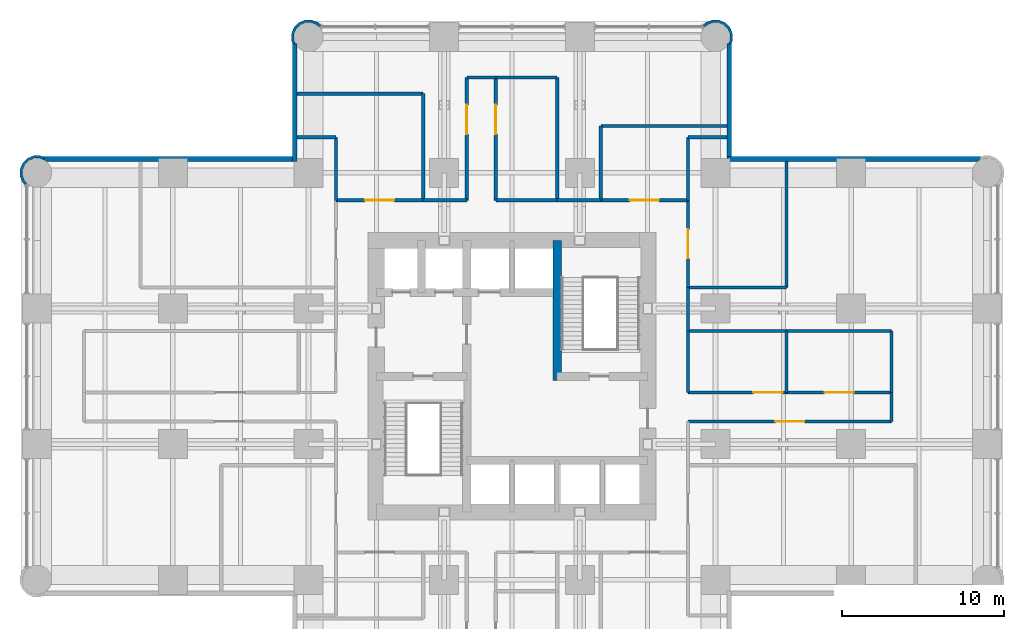
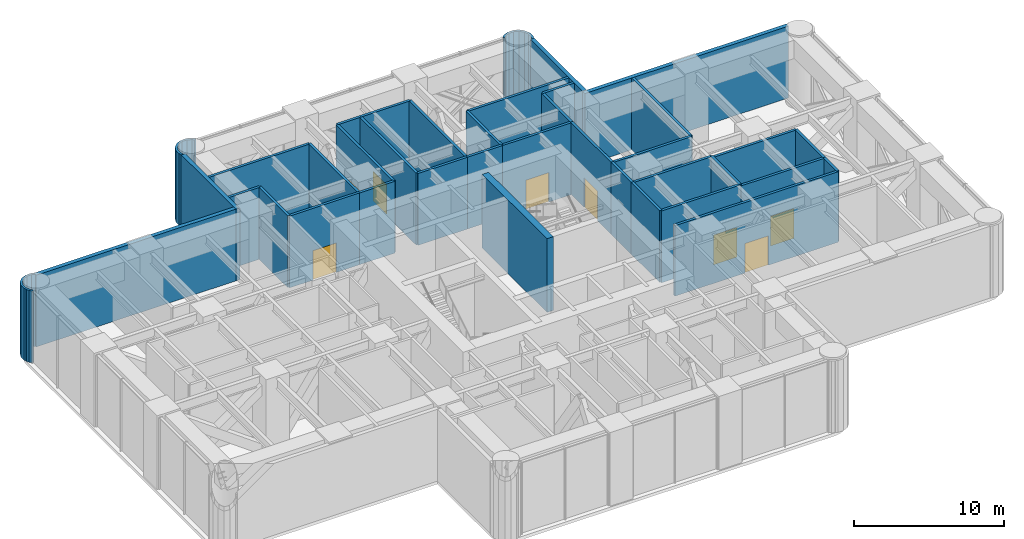
# One storey, part 10 of 13: 39 walls, 8 doors, 8 openings.
"""IFC4 building model written with IfcOpenShell, lengths in metres."""

from ifc_helpers import new_model, si_unit, direction, frame, frame_2d, origin, place, context, subcontext, project, spatial, polyline, rectangle, outline, extrude, material, layer, layer_set, type_object, element, fill, save


model = new_model("IFC4")

# Units and contexts
model_context = context("Model", 3, precision=1e-05, world=origin(), true_north=direction((0.0, 1.0)))
body_context = subcontext(model_context, "Body", "Model", "MODEL_VIEW")
ifc_project = project(units=[si_unit("LENGTHUNIT", "METRE"), si_unit("AREAUNIT", "SQUARE_METRE"), si_unit("VOLUMEUNIT", "CUBIC_METRE"), si_unit("PLANEANGLEUNIT", "RADIAN"), si_unit("MASSUNIT", "GRAM", prefix="KILO")], contexts=[model_context])

# Site, building, storey
site_placement = place(None, origin())
site = spatial("IfcSite", under=ifc_project, at=site_placement, CompositionType="ELEMENT")
building_placement = place(site_placement, origin())
building = spatial("IfcBuilding", under=site, at=building_placement, Name="Torre Alcanfor", CompositionType="ELEMENT")
storey_placement = place(building_placement, frame((0.0, 0.0, 177.300048828125)))
storey = spatial("IfcBuildingStorey", under=building, at=storey_placement, Name="L46", CompositionType="ELEMENT", Elevation=177.300048828125)

# Walls
ifc_material_1 = material(Name="Concrete f'c 70 MPa", Category="concrete")
ifc_layer_1 = layer(ifc_material_1, 0.5)
ifc_layer_set_1 = layer_set([ifc_layer_1], Name="Core inner wall 500 f'c70")
wall_type_1 = type_object("IfcWallType", Name="Core inner wall 500 f'c70", PredefinedType="SHEAR", material=ifc_layer_set_1)
wall_1_placement = place(storey_placement, frame((32.199951171875, 29.14990234375, 0.0), z_axis=(0.0, 0.0, 1.0), x_axis=(0.0, 1.0, 0.0)))
element("IfcWall", 1, at=wall_1_placement, inside=storey, type_object=wall_type_1, Name="Core wall X322N L46", PredefinedType="SHEAR", context=body_context, shape_type="SweptSolid", body=[
    extrude(rectangle(XDim=8.650146484375, YDim=0.5, at=frame_2d((4.3251953125, 0.0))), origin(), (0.0, 0.0, 1.0), 6.0),
])
ifc_material_2 = material(Name="Limestone cladding", Category="masonry")
ifc_layer_2 = layer(ifc_material_2, 0.0400390625, Name="Facing")
ifc_material_3 = material(Name="Ventilated air cavity")
ifc_layer_3 = layer(ifc_material_3, 0.02001953125, ventilated=True, Name="Ventilated joint")
ifc_material_4 = material(Name="Mineral wool insulation", Category="insulation")
ifc_layer_4 = layer(ifc_material_4, 0.10009765625, Name="Insulation")
ifc_material_5 = material(Name="Concrete f'c 35 MPa", Category="concrete")
ifc_layer_5 = layer(ifc_material_5, 0.139892578125, Name="Backing")
ifc_layer_set_2 = layer_set([ifc_layer_2, ifc_layer_3, ifc_layer_4, ifc_layer_5], Name="External wall stone-clad 300")
wall_type_2 = type_object("IfcWallType", Name="External wall stone-clad 300", PredefinedType="SOLIDWALL", material=ifc_layer_set_2)
wall_2_placement = place(storey_placement, frame((15.800048828125, 42.85009765625, 0.0), z_axis=(0.0, 0.0, 1.0), x_axis=(-1.0, 0.0, 0.0)))
element("IfcWall", 2, at=wall_2_placement, inside=storey, type_object=wall_type_2, Name="External wall L46 1", PredefinedType="SOLIDWALL", context=body_context, shape_type="SweptSolid", body=[
    extrude(rectangle(XDim=15.400146484375, YDim=0.300048828125, at=frame_2d((7.7001953125, 0.0))), origin(), (0.0, 0.0, 1.0), 5.849853515625),
])
wall_3_placement = place(storey_placement, frame((58.39990234375, 42.85009765625, 0.0), z_axis=(0.0, 0.0, 1.0), x_axis=(-1.0, 0.0, 0.0)))
element("IfcWall", 3, at=wall_3_placement, inside=storey, type_object=wall_type_2, Name="External wall L46 9", PredefinedType="SOLIDWALL", context=body_context, shape_type="SweptSolid", body=[
    extrude(rectangle(XDim=15.699951171875, YDim=0.300048828125, at=frame_2d((7.85009765625, 0.0))), origin(), (0.0, 0.0, 1.0), 5.849853515625),
])
wall_4_placement = place(storey_placement, frame((42.85009765625, 43.0, 0.0), z_axis=(0.0, 0.0, 1.0), x_axis=(0.0, 1.0, 0.0)))
element("IfcWall", 4, at=wall_4_placement, inside=storey, type_object=wall_type_2, Name="External wall L46 10", PredefinedType="SOLIDWALL", context=body_context, shape_type="SweptSolid", body=[
    extrude(rectangle(XDim=7.0, YDim=0.300048828125, at=frame_2d((3.5, 0.0))), origin(), (0.0, 0.0, 1.0), 5.849853515625),
])
wall_5_placement = place(storey_placement, frame((15.949951171875, 50.0, 0.0), z_axis=(0.0, 0.0, 1.0), x_axis=(0.0, -1.0, 0.0)))
element("IfcWall", 5, at=wall_5_placement, inside=storey, type_object=wall_type_2, Name="External wall L46 12", PredefinedType="SOLIDWALL", context=body_context, shape_type="SweptSolid", body=[
    extrude(rectangle(XDim=7.300048828125, YDim=0.300048828125, at=frame_2d((3.64990234375, 0.0))), origin(), (0.0, 0.0, 1.0), 5.849853515625),
])

# Wall, opening, door
ifc_material_6 = material(Name="Concrete block masonry, hollow blocks NMX-C-404 9 MPa", Category="masonry")
ifc_layer_6 = layer(ifc_material_6, 0.199951171875)
ifc_layer_set_3 = layer_set([ifc_layer_6], Name="Plant room wall 200 EI 60")
wall_type_3 = type_object("IfcWallType", Name="Plant room wall 200 EI 60", PredefinedType="PARTITIONING", material=ifc_layer_set_3)
wall_6_placement = place(storey_placement, frame((18.5, 40.300048828125, 0.0), z_axis=(0.0, 0.0, 1.0), x_axis=(1.0, 0.0, 0.0)))
wall_6 = element("IfcWall", 6, at=wall_6_placement, inside=storey, type_object=wall_type_3, Name="Partition L46-CORR / L46-N1", PredefinedType="PARTITIONING", context=body_context, shape_type="SweptSolid", body=[
    extrude(rectangle(XDim=5.39990234375, YDim=0.199951171875, at=frame_2d((2.699951171875, 0.0))), origin(), (0.0, 0.0, 1.0), 5.849853515625),
])
opening_1_placement = place(wall_6_placement, frame((1.800048828125, 0.0, 0.0)))
opening_1 = element("IfcOpeningElement", 7, at=opening_1_placement, cuts=wall_6, Name="Opening D-P1", PredefinedType="OPENING", context=body_context, shape_type="SweptSolid", body=[
    extrude(rectangle(XDim=1.800048828125, YDim=2.39990234375, at=frame_2d((0.89990234375, 1.199951171875))), frame((0.0, 0.10986328125, 0.0), z_axis=(0.0, -1.0, 0.0), x_axis=(1.0, 0.0, 0.0)), (0.0, 0.0, 1.0), 0.219970703125),
])
ifc_material_7 = material(Name="Galvanised steel sheet ASTM A653", Category="steel")
door_type = type_object("IfcDoorType", Name="Plant room door FD60 1800x2400", OperationType="DOUBLE_DOOR_SINGLE_SWING", PredefinedType="DOOR", material=ifc_material_7)
door_1_placement = place(opening_1_placement, origin())
door_1 = element("IfcDoor", 8, at=door_1_placement, inside=storey, type_object=door_type, Name="Door L46-N1 chilled water heat exchanger room", OperationType="DOUBLE_DOOR_SINGLE_SWING", OverallHeight=2.39990234375, OverallWidth=1.800048828125, PredefinedType="DOOR", context=body_context, shape_type="SweptSolid", body=[
    extrude(rectangle(XDim=1.800048828125, YDim=2.39990234375, at=frame_2d((0.89990234375, 1.199951171875))), frame((0.0, 0.02490234375, 0.0), z_axis=(0.0, -1.0, 0.0), x_axis=(1.0, 0.0, 0.0)), (0.0, 0.0, 1.0), 0.050048828125),
])
fill(opening_1, door_1)

wall_7_placement = place(storey_placement, frame((34.89990234375, 40.300048828125, 0.0), z_axis=(0.0, 0.0, 1.0), x_axis=(1.0, 0.0, 0.0)))
wall_7 = element("IfcWall", 9, at=wall_7_placement, inside=storey, type_object=wall_type_3, Name="Partition L46-CORR / L46-N2", PredefinedType="PARTITIONING", context=body_context, shape_type="SweptSolid", body=[
    extrude(rectangle(XDim=5.400146484375, YDim=0.199951171875, at=frame_2d((2.7001953125, 0.0))), origin(), (0.0, 0.0, 1.0), 5.849853515625),
])
opening_2_placement = place(wall_7_placement, frame((1.800048828125, 0.0, 0.0)))
opening_2 = element("IfcOpeningElement", 10, at=opening_2_placement, cuts=wall_7, Name="Opening D-P1", PredefinedType="OPENING", context=body_context, shape_type="SweptSolid", body=[
    extrude(rectangle(XDim=1.800048828125, YDim=2.39990234375, at=frame_2d((0.89990234375, 1.199951171875))), frame((0.0, 0.10986328125, 0.0), z_axis=(0.0, -1.0, 0.0), x_axis=(1.0, 0.0, 0.0)), (0.0, 0.0, 1.0), 0.219970703125),
])
door_2_placement = place(opening_2_placement, origin())
door_2 = element("IfcDoor", 11, at=door_2_placement, inside=storey, type_object=door_type, Name="Door L46-N2 booster pump room", OperationType="DOUBLE_DOOR_SINGLE_SWING", OverallHeight=2.39990234375, OverallWidth=1.800048828125, PredefinedType="DOOR", context=body_context, shape_type="SweptSolid", body=[
    extrude(rectangle(XDim=1.800048828125, YDim=2.39990234375, at=frame_2d((0.89990234375, 1.199951171875))), frame((0.0, 0.02490234375, 0.0), z_axis=(0.0, -1.0, 0.0), x_axis=(1.0, 0.0, 0.0)), (0.0, 0.0, 1.0), 0.050048828125),
])
fill(opening_2, door_2)

# Walls
wall_8_placement = place(storey_placement, frame((28.39990234375, 40.300048828125, 0.0), z_axis=(0.0, 0.0, 1.0), x_axis=(1.0, 0.0, 0.0)))
element("IfcWall", 12, at=wall_8_placement, inside=storey, type_object=wall_type_3, Name="Partition L46-CORR / L46-N3", PredefinedType="PARTITIONING", context=body_context, shape_type="SweptSolid", body=[
    extrude(rectangle(XDim=3.800048828125, YDim=0.199951171875, at=frame_2d((1.89990234375, 0.0))), origin(), (0.0, 0.0, 1.0), 5.849853515625),
])
wall_9_placement = place(storey_placement, frame((23.89990234375, 40.300048828125, 0.0), z_axis=(0.0, 0.0, 1.0), x_axis=(1.0, 0.0, 0.0)))
element("IfcWall", 13, at=wall_9_placement, inside=storey, type_object=wall_type_3, Name="Partition L46-CORR / L46-NH", PredefinedType="PARTITIONING", context=body_context, shape_type="SweptSolid", body=[
    extrude(rectangle(XDim=2.7001953125, YDim=0.199951171875, at=frame_2d((1.35009765625, 0.0))), origin(), (0.0, 0.0, 1.0), 5.849853515625),
])
wall_10_placement = place(storey_placement, frame((32.199951171875, 40.300048828125, 0.0), z_axis=(0.0, 0.0, 1.0), x_axis=(1.0, 0.0, 0.0)))
element("IfcWall", 14, at=wall_10_placement, inside=storey, type_object=wall_type_3, Name="Partition L46-CORR / L46-NH", PredefinedType="PARTITIONING", context=body_context, shape_type="SweptSolid", body=[
    extrude(rectangle(XDim=2.699951171875, YDim=0.199951171875, at=frame_2d((1.35009765625, 0.0))), origin(), (0.0, 0.0, 1.0), 5.849853515625),
])

# Wall, opening, door
wall_11_placement = place(storey_placement, frame((40.300048828125, 40.300048828125, 0.0), z_axis=(0.0, 0.0, 1.0), x_axis=(0.0, -1.0, 0.0)))
wall_11 = element("IfcWall", 15, at=wall_11_placement, inside=storey, type_object=wall_type_3, Name="Partition L46-CORR / L46-E2", PredefinedType="PARTITIONING", context=body_context, shape_type="SweptSolid", body=[
    extrude(rectangle(XDim=5.400146484375, YDim=0.199951171875, at=frame_2d((2.7001953125, 0.0))), origin(), (0.0, 0.0, 1.0), 5.849853515625),
])
opening_3_placement = place(wall_11_placement, frame((1.800048828125, 0.0, 0.0)))
opening_3 = element("IfcOpeningElement", 16, at=opening_3_placement, cuts=wall_11, Name="Opening D-P1", PredefinedType="OPENING", context=body_context, shape_type="SweptSolid", body=[
    extrude(rectangle(XDim=1.800048828125, YDim=2.39990234375, at=frame_2d((0.89990234375, 1.199951171875))), frame((0.0, 0.10986328125, 0.0), z_axis=(0.0, -1.0, 0.0), x_axis=(1.0, 0.0, 0.0)), (0.0, 0.0, 1.0), 0.219970703125),
])
door_3_placement = place(opening_3_placement, origin())
door_3 = element("IfcDoor", 17, at=door_3_placement, inside=storey, type_object=door_type, Name="Door L46-E2 stair pressurisation fan plant room", OperationType="DOUBLE_DOOR_SINGLE_SWING", OverallHeight=2.39990234375, OverallWidth=1.800048828125, PredefinedType="DOOR", context=body_context, shape_type="SweptSolid", body=[
    extrude(rectangle(XDim=1.800048828125, YDim=2.39990234375, at=frame_2d((0.89990234375, 1.199951171875))), frame((0.0, 0.02490234375, 0.0), z_axis=(0.0, -1.0, 0.0), x_axis=(1.0, 0.0, 0.0)), (0.0, 0.0, 1.0), 0.050048828125),
])
fill(opening_3, door_3)

# Walls
wall_12_placement = place(storey_placement, frame((40.300048828125, 32.199951171875, 0.0), z_axis=(0.0, 0.0, 1.0), x_axis=(0.0, -1.0, 0.0)))
element("IfcWall", 18, at=wall_12_placement, inside=storey, type_object=wall_type_3, Name="Partition L46-CORR / L46-E3", PredefinedType="PARTITIONING", context=body_context, shape_type="SweptSolid", body=[
    extrude(rectangle(XDim=3.800048828125, YDim=0.199951171875, at=frame_2d((1.89990234375, 0.0))), origin(), (0.0, 0.0, 1.0), 5.849853515625),
])
wall_13_placement = place(storey_placement, frame((40.300048828125, 34.89990234375, 0.0), z_axis=(0.0, 0.0, 1.0), x_axis=(0.0, -1.0, 0.0)))
element("IfcWall", 19, at=wall_13_placement, inside=storey, type_object=wall_type_3, Name="Partition L46-CORR / L46-EH", PredefinedType="PARTITIONING", context=body_context, shape_type="SweptSolid", body=[
    extrude(rectangle(XDim=2.699951171875, YDim=0.199951171875, at=frame_2d((1.35009765625, 0.0))), origin(), (0.0, 0.0, 1.0), 5.849853515625),
])
wall_14_placement = place(storey_placement, frame((16.10009765625, 46.89990234375, 0.0), z_axis=(0.0, 0.0, 1.0), x_axis=(1.0, 0.0, 0.0)))
element("IfcWall", 20, at=wall_14_placement, inside=storey, type_object=wall_type_3, Name="Partition L46-N1 / L46-NH", PredefinedType="PARTITIONING", context=body_context, shape_type="SweptSolid", body=[
    extrude(rectangle(XDim=7.7998046875, YDim=0.199951171875, at=frame_2d((3.89990234375, 0.0))), origin(), (0.0, 0.0, 1.0), 5.849853515625),
])
wall_15_placement = place(storey_placement, frame((23.89990234375, 46.89990234375, 0.0), z_axis=(0.0, 0.0, 1.0), x_axis=(0.0, -1.0, 0.0)))
element("IfcWall", 21, at=wall_15_placement, inside=storey, type_object=wall_type_3, Name="Partition L46-N1 / L46-NH", PredefinedType="PARTITIONING", context=body_context, shape_type="SweptSolid", body=[
    extrude(rectangle(XDim=6.599853515625, YDim=0.199951171875, at=frame_2d((3.2998046875, 0.0))), origin(), (0.0, 0.0, 1.0), 5.849853515625),
])
wall_16_placement = place(storey_placement, frame((18.5, 40.300048828125, 0.0), z_axis=(0.0, 0.0, 1.0), x_axis=(0.0, 1.0, 0.0)))
element("IfcWall", 22, at=wall_16_placement, inside=storey, type_object=wall_type_3, Name="Partition L46-N1 / L46-W2", PredefinedType="PARTITIONING", context=body_context, shape_type="SweptSolid", body=[
    extrude(rectangle(XDim=3.89990234375, YDim=0.199951171875, at=frame_2d((1.949951171875, 0.0))), origin(), (0.0, 0.0, 1.0), 5.849853515625),
])
wall_17_placement = place(storey_placement, frame((18.5, 44.199951171875, 0.0), z_axis=(0.0, 0.0, 1.0), x_axis=(-1.0, 0.0, 0.0)))
element("IfcWall", 23, at=wall_17_placement, inside=storey, type_object=wall_type_3, Name="Partition L46-N1 / L46-W2", PredefinedType="PARTITIONING", context=body_context, shape_type="SweptSolid", body=[
    extrude(rectangle(XDim=2.39990234375, YDim=0.199951171875, at=frame_2d((1.199951171875, 0.0))), origin(), (0.0, 0.0, 1.0), 5.849853515625),
])
wall_18_placement = place(storey_placement, frame((34.89990234375, 40.300048828125, 0.0), z_axis=(0.0, 0.0, 1.0), x_axis=(0.0, 1.0, 0.0)))
element("IfcWall", 24, at=wall_18_placement, inside=storey, type_object=wall_type_3, Name="Partition L46-N2 / L46-NH", PredefinedType="PARTITIONING", context=body_context, shape_type="SweptSolid", body=[
    extrude(rectangle(XDim=4.599853515625, YDim=0.199951171875, at=frame_2d((2.2998046875, 0.0))), origin(), (0.0, 0.0, 1.0), 5.849853515625),
])
wall_19_placement = place(storey_placement, frame((34.89990234375, 44.89990234375, 0.0), z_axis=(0.0, 0.0, 1.0), x_axis=(1.0, 0.0, 0.0)))
element("IfcWall", 25, at=wall_19_placement, inside=storey, type_object=wall_type_3, Name="Partition L46-N2 / L46-NH", PredefinedType="PARTITIONING", context=body_context, shape_type="SweptSolid", body=[
    extrude(rectangle(XDim=7.800048828125, YDim=0.199951171875, at=frame_2d((3.89990234375, 0.0))), origin(), (0.0, 0.0, 1.0), 5.849853515625),
])
wall_20_placement = place(storey_placement, frame((42.699951171875, 44.199951171875, 0.0), z_axis=(0.0, 0.0, 1.0), x_axis=(-1.0, 0.0, 0.0)))
element("IfcWall", 26, at=wall_20_placement, inside=storey, type_object=wall_type_3, Name="Partition L46-N2 / L46-E2", PredefinedType="PARTITIONING", context=body_context, shape_type="SweptSolid", body=[
    extrude(rectangle(XDim=2.39990234375, YDim=0.199951171875, at=frame_2d((1.199951171875, 0.0))), origin(), (0.0, 0.0, 1.0), 5.849853515625),
])
wall_21_placement = place(storey_placement, frame((40.300048828125, 44.199951171875, 0.0), z_axis=(0.0, 0.0, 1.0), x_axis=(0.0, -1.0, 0.0)))
element("IfcWall", 27, at=wall_21_placement, inside=storey, type_object=wall_type_3, Name="Partition L46-N2 / L46-E2", PredefinedType="PARTITIONING", context=body_context, shape_type="SweptSolid", body=[
    extrude(rectangle(XDim=3.89990234375, YDim=0.199951171875, at=frame_2d((1.949951171875, 0.0))), origin(), (0.0, 0.0, 1.0), 5.849853515625),
])

# Wall, opening, door
wall_22_placement = place(storey_placement, frame((28.39990234375, 47.89990234375, 0.0), z_axis=(0.0, 0.0, 1.0), x_axis=(0.0, -1.0, 0.0)))
wall_22 = element("IfcWall", 28, at=wall_22_placement, inside=storey, type_object=wall_type_3, Name="Partition L46-NC / L46-N3", PredefinedType="PARTITIONING", context=body_context, shape_type="SweptSolid", body=[
    extrude(rectangle(XDim=7.599853515625, YDim=0.199951171875, at=frame_2d((3.7998046875, 0.0))), origin(), (0.0, 0.0, 1.0), 5.849853515625),
])
opening_4_placement = place(wall_22_placement, frame((1.699951171875, 0.0, 0.0)))
opening_4 = element("IfcOpeningElement", 29, at=opening_4_placement, cuts=wall_22, Name="Opening D-P1", PredefinedType="OPENING", context=body_context, shape_type="SweptSolid", body=[
    extrude(rectangle(XDim=1.800048828125, YDim=2.39990234375, at=frame_2d((0.89990234375, 1.199951171875))), frame((0.0, 0.10986328125, 0.0), z_axis=(0.0, -1.0, 0.0), x_axis=(1.0, 0.0, 0.0)), (0.0, 0.0, 1.0), 0.219970703125),
])
door_4_placement = place(opening_4_placement, origin())
door_4 = element("IfcDoor", 30, at=door_4_placement, inside=storey, type_object=door_type, Name="Door L46-N3 lv switch room", OperationType="DOUBLE_DOOR_SINGLE_SWING", OverallHeight=2.39990234375, OverallWidth=1.800048828125, PredefinedType="DOOR", context=body_context, shape_type="SweptSolid", body=[
    extrude(rectangle(XDim=1.800048828125, YDim=2.39990234375, at=frame_2d((0.89990234375, 1.199951171875))), frame((0.0, 0.02490234375, 0.0), z_axis=(0.0, -1.0, 0.0), x_axis=(1.0, 0.0, 0.0)), (0.0, 0.0, 1.0), 0.050048828125),
])
fill(opening_4, door_4)

wall_23_placement = place(storey_placement, frame((26.60009765625, 40.300048828125, 0.0), z_axis=(0.0, 0.0, 1.0), x_axis=(0.0, 1.0, 0.0)))
wall_23 = element("IfcWall", 31, at=wall_23_placement, inside=storey, type_object=wall_type_3, Name="Partition L46-NC / L46-NH", PredefinedType="PARTITIONING", context=body_context, shape_type="SweptSolid", body=[
    extrude(rectangle(XDim=7.599853515625, YDim=0.199951171875, at=frame_2d((3.7998046875, 0.0))), origin(), (0.0, 0.0, 1.0), 5.849853515625),
])
opening_5_placement = place(wall_23_placement, frame((4.10009765625, 0.0, 0.0)))
opening_5 = element("IfcOpeningElement", 32, at=opening_5_placement, cuts=wall_23, Name="Opening D-P1", PredefinedType="OPENING", context=body_context, shape_type="SweptSolid", body=[
    extrude(rectangle(XDim=1.800048828125, YDim=2.39990234375, at=frame_2d((0.89990234375, 1.199951171875))), frame((0.0, 0.10986328125, 0.0), z_axis=(0.0, -1.0, 0.0), x_axis=(1.0, 0.0, 0.0)), (0.0, 0.0, 1.0), 0.219970703125),
])
door_5_placement = place(opening_5_placement, origin())
door_5 = element("IfcDoor", 33, at=door_5_placement, inside=storey, type_object=door_type, Name="Door L46-NH air handling plant room", OperationType="DOUBLE_DOOR_SINGLE_SWING", OverallHeight=2.39990234375, OverallWidth=1.800048828125, PredefinedType="DOOR", context=body_context, shape_type="SweptSolid", body=[
    extrude(rectangle(XDim=1.800048828125, YDim=2.39990234375, at=frame_2d((0.89990234375, 1.199951171875))), frame((0.0, 0.02490234375, 0.0), z_axis=(0.0, -1.0, 0.0), x_axis=(1.0, 0.0, 0.0)), (0.0, 0.0, 1.0), 0.050048828125),
])
fill(opening_5, door_5)

# Walls
wall_24_placement = place(storey_placement, frame((26.60009765625, 47.89990234375, 0.0), z_axis=(0.0, 0.0, 1.0), x_axis=(1.0, 0.0, 0.0)))
element("IfcWall", 34, at=wall_24_placement, inside=storey, type_object=wall_type_3, Name="Partition L46-NC / L46-NH", PredefinedType="PARTITIONING", context=body_context, shape_type="SweptSolid", body=[
    extrude(rectangle(XDim=1.7998046875, YDim=0.199951171875, at=frame_2d((0.89990234375, 0.0))), origin(), (0.0, 0.0, 1.0), 5.849853515625),
])
wall_25_placement = place(storey_placement, frame((28.39990234375, 47.89990234375, 0.0), z_axis=(0.0, 0.0, 1.0), x_axis=(1.0, 0.0, 0.0)))
element("IfcWall", 35, at=wall_25_placement, inside=storey, type_object=wall_type_3, Name="Partition L46-N3 / L46-NH", PredefinedType="PARTITIONING", context=body_context, shape_type="SweptSolid", body=[
    extrude(rectangle(XDim=3.800048828125, YDim=0.199951171875, at=frame_2d((1.89990234375, 0.0))), origin(), (0.0, 0.0, 1.0), 5.849853515625),
])
wall_26_placement = place(storey_placement, frame((32.199951171875, 47.89990234375, 0.0), z_axis=(0.0, 0.0, 1.0), x_axis=(0.0, -1.0, 0.0)))
element("IfcWall", 36, at=wall_26_placement, inside=storey, type_object=wall_type_3, Name="Partition L46-N3 / L46-NH", PredefinedType="PARTITIONING", context=body_context, shape_type="SweptSolid", body=[
    extrude(rectangle(XDim=7.599853515625, YDim=0.199951171875, at=frame_2d((3.7998046875, 0.0))), origin(), (0.0, 0.0, 1.0), 5.849853515625),
])
wall_27_placement = place(storey_placement, frame((46.39990234375, 42.699951171875, 0.0), z_axis=(0.0, 0.0, 1.0), x_axis=(0.0, -1.0, 0.0)))
element("IfcWall", 37, at=wall_27_placement, inside=storey, type_object=wall_type_3, Name="Partition L46-E2 / L46-EH", PredefinedType="PARTITIONING", context=body_context, shape_type="SweptSolid", body=[
    extrude(rectangle(XDim=7.800048828125, YDim=0.199951171875, at=frame_2d((3.89990234375, 0.0))), origin(), (0.0, 0.0, 1.0), 5.849853515625),
])
wall_28_placement = place(storey_placement, frame((46.39990234375, 34.89990234375, 0.0), z_axis=(0.0, 0.0, 1.0), x_axis=(-1.0, 0.0, 0.0)))
element("IfcWall", 38, at=wall_28_placement, inside=storey, type_object=wall_type_3, Name="Partition L46-E2 / L46-EH", PredefinedType="PARTITIONING", context=body_context, shape_type="SweptSolid", body=[
    extrude(rectangle(XDim=6.099853515625, YDim=0.199951171875, at=frame_2d((3.0498046875, 0.0))), origin(), (0.0, 0.0, 1.0), 5.849853515625),
])

# Wall, opening, door
wall_29_placement = place(storey_placement, frame((40.300048828125, 28.39990234375, 0.0), z_axis=(0.0, 0.0, 1.0), x_axis=(1.0, 0.0, 0.0)))
wall_29 = element("IfcWall", 39, at=wall_29_placement, inside=storey, type_object=wall_type_3, Name="Partition L46-EC / L46-E3", PredefinedType="PARTITIONING", context=body_context, shape_type="SweptSolid", body=[
    extrude(rectangle(XDim=6.099853515625, YDim=0.199951171875, at=frame_2d((3.0498046875, 0.0))), origin(), (0.0, 0.0, 1.0), 5.849853515625),
])
opening_6_placement = place(wall_29_placement, frame((4.050048828125, 0.0, 0.0)))
opening_6 = element("IfcOpeningElement", 40, at=opening_6_placement, cuts=wall_29, Name="Opening D-P1", PredefinedType="OPENING", context=body_context, shape_type="SweptSolid", body=[
    extrude(rectangle(XDim=1.800048828125, YDim=2.39990234375, at=frame_2d((0.89990234375, 1.199951171875))), frame((0.0, 0.10986328125, 0.0), z_axis=(0.0, -1.0, 0.0), x_axis=(1.0, 0.0, 0.0)), (0.0, 0.0, 1.0), 0.219970703125),
])
door_6_placement = place(opening_6_placement, origin())
door_6 = element("IfcDoor", 41, at=door_6_placement, inside=storey, type_object=door_type, Name="Door L46-E3 bms and communications room", OperationType="DOUBLE_DOOR_SINGLE_SWING", OverallHeight=2.39990234375, OverallWidth=1.800048828125, PredefinedType="DOOR", context=body_context, shape_type="SweptSolid", body=[
    extrude(rectangle(XDim=1.800048828125, YDim=2.39990234375, at=frame_2d((0.89990234375, 1.199951171875))), frame((0.0, 0.02490234375, 0.0), z_axis=(0.0, -1.0, 0.0), x_axis=(1.0, 0.0, 0.0)), (0.0, 0.0, 1.0), 0.050048828125),
])
fill(opening_6, door_6)

wall_30_placement = place(storey_placement, frame((46.39990234375, 28.39990234375, 0.0), z_axis=(0.0, 0.0, 1.0), x_axis=(1.0, 0.0, 0.0)))
wall_30 = element("IfcWall", 42, at=wall_30_placement, inside=storey, type_object=wall_type_3, Name="Partition L46-EC / L46-E4", PredefinedType="PARTITIONING", context=body_context, shape_type="SweptSolid", body=[
    extrude(rectangle(XDim=6.5, YDim=0.199951171875, at=frame_2d((3.25, 0.0))), origin(), (0.0, 0.0, 1.0), 5.75),
])
opening_7_placement = place(wall_30_placement, frame((2.35009765625, 0.0, 0.0)))
opening_7 = element("IfcOpeningElement", 43, at=opening_7_placement, cuts=wall_30, Name="Opening D-P1", PredefinedType="OPENING", context=body_context, shape_type="SweptSolid", body=[
    extrude(rectangle(XDim=1.800048828125, YDim=2.39990234375, at=frame_2d((0.89990234375, 1.199951171875))), frame((0.0, 0.10986328125, 0.0), z_axis=(0.0, -1.0, 0.0), x_axis=(1.0, 0.0, 0.0)), (0.0, 0.0, 1.0), 0.219970703125),
])
door_7_placement = place(opening_7_placement, origin())
door_7 = element("IfcDoor", 44, at=door_7_placement, inside=storey, type_object=door_type, Name="Door L46-E4 plant store", OperationType="DOUBLE_DOOR_SINGLE_SWING", OverallHeight=2.39990234375, OverallWidth=1.800048828125, PredefinedType="DOOR", context=body_context, shape_type="SweptSolid", body=[
    extrude(rectangle(XDim=1.800048828125, YDim=2.39990234375, at=frame_2d((0.89990234375, 1.199951171875))), frame((0.0, 0.02490234375, 0.0), z_axis=(0.0, -1.0, 0.0), x_axis=(1.0, 0.0, 0.0)), (0.0, 0.0, 1.0), 0.050048828125),
])
fill(opening_7, door_7)

# Wall
wall_31_placement = place(storey_placement, frame((52.89990234375, 28.39990234375, 0.0), z_axis=(0.0, 0.0, 1.0), x_axis=(0.0, -1.0, 0.0)))
element("IfcWall", 45, at=wall_31_placement, inside=storey, type_object=wall_type_3, Name="Partition L46-EC / L46-EH", PredefinedType="PARTITIONING", context=body_context, shape_type="SweptSolid", body=[
    extrude(rectangle(XDim=1.7998046875, YDim=0.199951171875, at=frame_2d((0.89990234375, 0.0))), origin(), (0.0, 0.0, 1.0), 5.75),
])

# Wall, opening, door
wall_32_placement = place(storey_placement, frame((52.89990234375, 26.60009765625, 0.0), z_axis=(0.0, 0.0, 1.0), x_axis=(-1.0, 0.0, 0.0)))
wall_32 = element("IfcWall", 46, at=wall_32_placement, inside=storey, type_object=wall_type_3, Name="Partition L46-EC / L46-EH", PredefinedType="PARTITIONING", context=body_context, shape_type="SweptSolid", body=[
    extrude(rectangle(XDim=12.599853515625, YDim=0.199951171875, at=frame_2d((6.2998046875, 0.0))), origin(), (0.0, 0.0, 1.0), 5.75),
])
opening_8_placement = place(wall_32_placement, frame((5.39990234375, 0.0, 0.0)))
opening_8 = element("IfcOpeningElement", 47, at=opening_8_placement, cuts=wall_32, Name="Opening D-P1", PredefinedType="OPENING", context=body_context, shape_type="SweptSolid", body=[
    extrude(rectangle(XDim=1.800048828125, YDim=2.39990234375, at=frame_2d((0.89990234375, 1.199951171875))), frame((0.0, 0.10986328125, 0.0), z_axis=(0.0, -1.0, 0.0), x_axis=(1.0, 0.0, 0.0)), (0.0, 0.0, 1.0), 0.219970703125),
])
door_8_placement = place(opening_8_placement, origin())
door_8 = element("IfcDoor", 48, at=door_8_placement, inside=storey, type_object=door_type, Name="Door L46-EH air handling plant room", OperationType="DOUBLE_DOOR_SINGLE_SWING", OverallHeight=2.39990234375, OverallWidth=1.800048828125, PredefinedType="DOOR", context=body_context, shape_type="SweptSolid", body=[
    extrude(rectangle(XDim=1.800048828125, YDim=2.39990234375, at=frame_2d((0.89990234375, 1.199951171875))), frame((0.0, 0.02490234375, 0.0), z_axis=(0.0, -1.0, 0.0), x_axis=(1.0, 0.0, 0.0)), (0.0, 0.0, 1.0), 0.050048828125),
])
fill(opening_8, door_8)

# Walls
wall_33_placement = place(storey_placement, frame((46.39990234375, 32.199951171875, 0.0), z_axis=(0.0, 0.0, 1.0), x_axis=(0.0, -1.0, 0.0)))
element("IfcWall", 49, at=wall_33_placement, inside=storey, type_object=wall_type_3, Name="Partition L46-E3 / L46-E4", PredefinedType="PARTITIONING", context=body_context, shape_type="SweptSolid", body=[
    extrude(rectangle(XDim=3.800048828125, YDim=0.199951171875, at=frame_2d((1.89990234375, 0.0))), origin(), (0.0, 0.0, 1.0), 5.849853515625),
])
wall_34_placement = place(storey_placement, frame((40.300048828125, 32.199951171875, 0.0), z_axis=(0.0, 0.0, 1.0), x_axis=(1.0, 0.0, 0.0)))
element("IfcWall", 50, at=wall_34_placement, inside=storey, type_object=wall_type_3, Name="Partition L46-E3 / L46-EH", PredefinedType="PARTITIONING", context=body_context, shape_type="SweptSolid", body=[
    extrude(rectangle(XDim=6.099853515625, YDim=0.199951171875, at=frame_2d((3.0498046875, 0.0))), origin(), (0.0, 0.0, 1.0), 5.849853515625),
])
wall_35_placement = place(storey_placement, frame((46.39990234375, 32.199951171875, 0.0), z_axis=(0.0, 0.0, 1.0), x_axis=(1.0, 0.0, 0.0)))
element("IfcWall", 51, at=wall_35_placement, inside=storey, type_object=wall_type_3, Name="Partition L46-E4 / L46-EH", PredefinedType="PARTITIONING", context=body_context, shape_type="SweptSolid", body=[
    extrude(rectangle(XDim=6.5, YDim=0.199951171875, at=frame_2d((3.25, 0.0))), origin(), (0.0, 0.0, 1.0), 5.75),
])
wall_36_placement = place(storey_placement, frame((52.89990234375, 32.199951171875, 0.0), z_axis=(0.0, 0.0, 1.0), x_axis=(0.0, -1.0, 0.0)))
element("IfcWall", 52, at=wall_36_placement, inside=storey, type_object=wall_type_3, Name="Partition L46-E4 / L46-EH", PredefinedType="PARTITIONING", context=body_context, shape_type="SweptSolid", body=[
    extrude(rectangle(XDim=3.800048828125, YDim=0.199951171875, at=frame_2d((1.89990234375, 0.0))), origin(), (0.0, 0.0, 1.0), 5.75),
])
ifc_layer_7 = layer(ifc_material_2, 0.0400390625, Name="Facing")
ifc_layer_8 = layer(ifc_material_3, 0.02001953125, ventilated=True, Name="Ventilated joint")
ifc_layer_9 = layer(ifc_material_4, 0.10009765625, Name="Insulation")
ifc_layer_10 = layer(ifc_material_5, 0.139892578125, Name="Backing")
ifc_layer_set_4 = layer_set([ifc_layer_7, ifc_layer_8, ifc_layer_9, ifc_layer_10], Name="Rounded corner pier stone-clad 300")
wall_type_4 = type_object("IfcWallType", Name="Rounded corner pier stone-clad 300", PredefinedType="SOLIDWALL", material=ifc_layer_set_4)
wall_37_placement = place(storey_placement, frame((0.363962863, 42.909907157, 0.0), z_axis=(0.0, 0.0, 1.0), x_axis=(-0.924062475919, 0.382241468967, 0.0)))
element("IfcWall", 53, at=wall_37_placement, inside=storey, type_object=wall_type_4, Name="Corner pier L46 13", PredefinedType="SOLIDWALL", context=body_context, shape_type="SweptSolid", body=[
    extrude(outline(polyline([(0.35044958879220967, 1.805214630194829), (0.49929277746232636, 1.7436652288835497), (0.7524911960117645, 1.489877310003597), (0.8894859412371144, 1.1586947624817159), (0.8895598241465317, 0.8002010505889272), (0.7522526451384942, 0.4691601583058036), (0.49846472625854127, 0.2159617397563655), (0.16728217873666038, 0.07896699453101558), (-0.10035318835399831, 0.0789600534536236), (0.0012268950866002812, -0.09698897548097352), (0.030454486092350536, -0.08014322210817595), (0.19902470275342163, -0.08016334819264685), (0.5884123574010827, 0.08090813018538723), (0.8867868936755824, 0.3789703081769552), (1.048433688230324, 0.7686928229842549), (1.0486162839607769, 1.1904372864984771), (0.8875448055827428, 1.5798249411461383), (0.7684475031307332, 1.6991218434482278), (0.7597233926126957, 1.7317089786148179), (0.7408743711878268, 1.7268182586897074), (0.5894826275911748, 1.8781994774206376), (0.3884685341470461, 1.9617618057546544), (0.300709671077556, 1.9254600646833593), (0.35044958879220967, 1.805214630194829)])), origin(), (0.0, 0.0, 1.0), 5.849853515625),
])
wall_38_placement = place(storey_placement, frame((42.909907157, 50.036037137, 0.0), z_axis=(0.0, 0.0, 1.0), x_axis=(0.382241468967, 0.924062475919, 0.0)))
element("IfcWall", 54, at=wall_38_placement, inside=storey, type_object=wall_type_4, Name="Corner pier L46 19", PredefinedType="SOLIDWALL", context=body_context, shape_type="SweptSolid", body=[
    extrude(outline(polyline([(0.7596331521365308, 1.7316716503463634), (0.7407841307116619, 1.7267809304212531), (0.5893923871150099, 1.8781621491521836), (0.38837829367088117, 1.9617244774862002), (0.300845031791801, 1.9255160570860397), (0.3505849495064547, 1.8052706225975095), (0.49920253698616146, 1.7436279006150956), (0.7526265567260094, 1.489933302406277), (0.8896213019513594, 1.1587507548843963), (0.8894695836703668, 0.8001637223204732), (0.7521624046623293, 0.46912283003734945), (0.49837448578237625, 0.21592441148791136), (0.16719193826049544, 0.07892966626256143), (-0.10044342883016324, 0.07892272518516943), (0.001136654610435342, -0.09702630374942767), (0.030589846806595593, -0.08008722970549569), (0.1989344622772567, -0.08020067646110102), (0.5885477181153277, 0.08096412258806748), (0.8869222543898274, 0.3790263005796355), (1.048343447754159, 0.7686554947158009), (1.0485260434846118, 1.190399958230023), (0.8874545651065777, 1.5797876128776838), (0.7683572626545683, 1.6990845151797735), (0.7596331521365308, 1.7316716503463634)])), origin(), (0.0, 0.0, 1.0), 5.849853515625),
])
wall_39_placement = place(storey_placement, frame((17.497342054, 51.088559409, 0.0), z_axis=(0.0, 0.0, 1.0), x_axis=(-0.382241468967, 0.924062475919, 0.0)))
element("IfcWall", 55, at=wall_39_placement, inside=storey, type_object=wall_type_4, Name="Corner pier L46 20", PredefinedType="SOLIDWALL", context=body_context, shape_type="SweptSolid", body=[
    extrude(outline(polyline([(-0.35712104674026224, 1.984497528216836), (-0.4587011301808608, 1.8085484992822387), (-0.19097244241906763, 1.8087671593952568), (0.14021010510281323, 1.6717724141699069), (0.39390470331163174, 1.4183483944300588), (0.5312118823196693, 1.0873075021469352), (0.5313636006006619, 0.7287204695830122), (0.39436885537531197, 0.39753792206113125), (0.14103815630659833, 0.1440689250427227), (-0.007672751844242893, 0.08220060186989894), (-0.057319348887762085, -0.03781923142822138), (0.030213912991318148, -0.07402765182838199), (0.2311346857643123, 0.009309075315224596), (0.38252642936096454, 0.16069029404615504), (0.40137545078583337, 0.15579957412104475), (0.4100995613038709, 0.18838670928763462), (0.5291968637558803, 0.30768361158972424), (0.6903616628050487, 0.6972968674277953), (0.6900857464034615, 1.1188157297516075), (0.52866455303913, 1.5084449238877728), (0.23029001676463018, 1.8065071018793408), (-0.15932323907344081, 1.9676719009285093), (-0.32766785454410197, 1.9675584541729039), (-0.35712104674026224, 1.984497528216836)])), origin(), (0.0, 0.0, 1.0), 5.849853515625),
])

save(model, "model.ifc")
